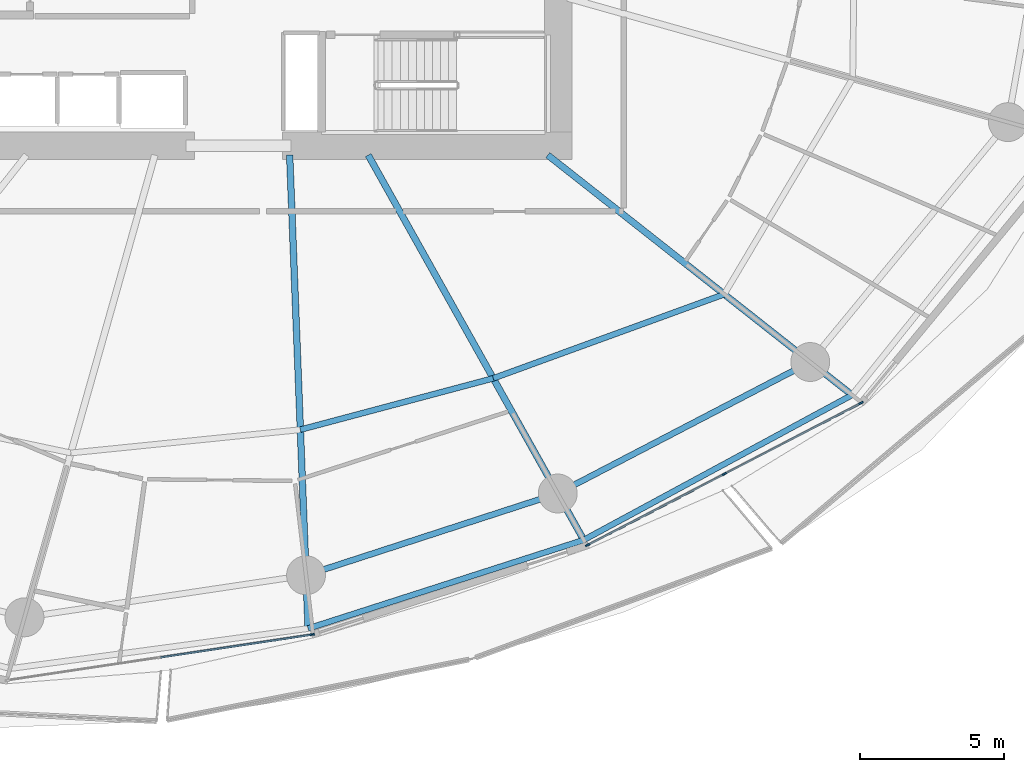
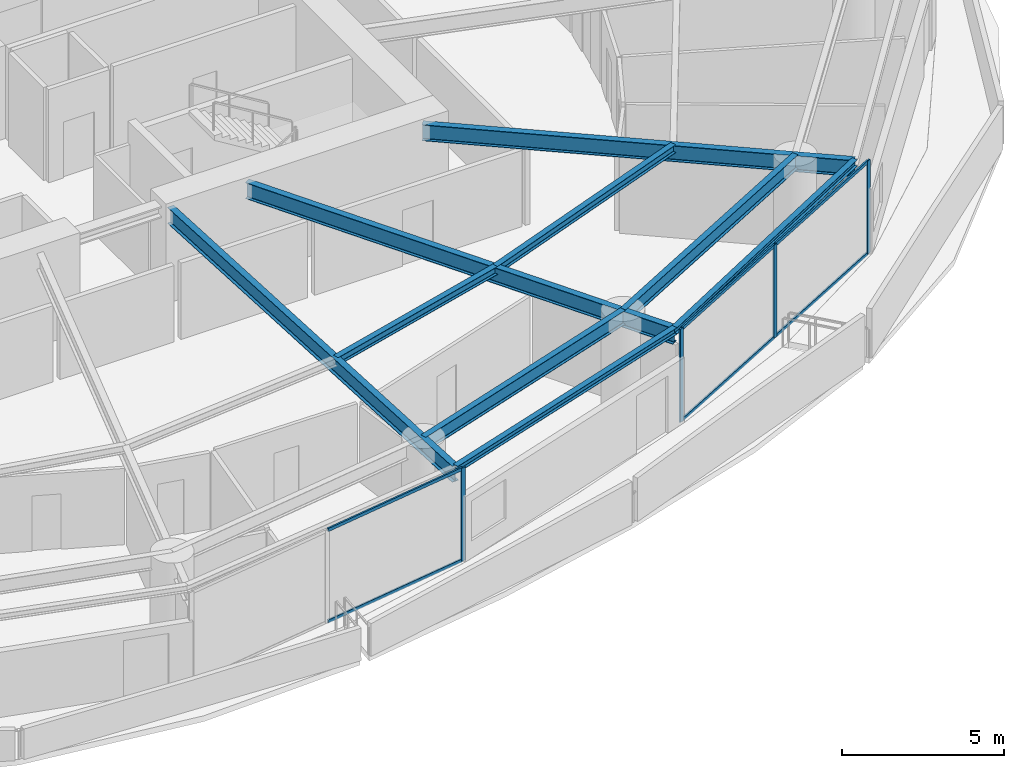
# One storey, part 9 of 31: 10 members, 9 beams, 2 elements without a shape of their own.
"""IFC4 building model written with IfcOpenShell, lengths in metres."""

from ifc_helpers import new_model, si_unit, direction, frame, origin, origin_2d, place, context, subcontext, project, spatial, rectangle, i_section, extrude, material, layer, layer_set, material_profile, profile_set, type_object, element, aggregate, save


model = new_model("IFC4")

# Units and contexts
model_context = context("Model", 3, precision=1e-05, world=origin(), true_north=direction((0.0, 1.0)))
body_context = subcontext(model_context, "Body", "Model", "MODEL_VIEW")
ifc_project = project(units=[si_unit("LENGTHUNIT", "METRE"), si_unit("AREAUNIT", "SQUARE_METRE"), si_unit("VOLUMEUNIT", "CUBIC_METRE"), si_unit("PLANEANGLEUNIT", "RADIAN"), si_unit("MASSUNIT", "GRAM", prefix="KILO")], contexts=[model_context])

# Site, building, storey
site_placement = place(None, origin())
site = spatial("IfcSite", under=ifc_project, at=site_placement, CompositionType="ELEMENT")
building_placement = place(site_placement, origin())
building = spatial("IfcBuilding", under=site, at=building_placement, Name="Kazma Halo Residences", CompositionType="ELEMENT")
storey_placement = place(building_placement, frame((0.0, 0.0, 37.64990234375)))
storey = spatial("IfcBuildingStorey", under=building, at=storey_placement, Name="L08", CompositionType="ELEMENT", Elevation=37.64990234375)

# Beams
ifc_material_1 = material(Name="Steel S355", Category="steel")
ifc_material_profile_1 = material_profile(ifc_material_1, i_section(OverallWidth=0.201904296875, OverallDepth=0.2470703125, WebThickness=0.00732421875, FlangeThickness=0.010986328125, FilletRadius=0.011962890625, at=origin_2d()), Name="W250x49.1")
ifc_profile_set_1 = profile_set([ifc_material_profile_1], Name="Steel S355")
beam_type_1 = type_object("IfcBeamType", Name="BM-BAL-CANT", PredefinedType="BEAM", material=ifc_profile_set_1)
beam_1_placement = place(storey_placement, frame((50.84033203125, 16.761962890625, 3.376708984375), z_axis=(0.952101049535, 0.305783569662, 0.0), x_axis=(-0.305783569662, 0.952101049535, 0.0)))
element("IfcBeam", 1, at=beam_1_placement, inside=storey, type_object=beam_type_1, Name="L08 wave-balcony tie beam 12", PredefinedType="BEAM", context=body_context, shape_type="SweptSolid", body=[
    extrude(i_section(OverallWidth=0.201904296875, OverallDepth=0.2470703125, WebThickness=0.00732421875, FlangeThickness=0.010986328125, FilletRadius=0.011962890625, at=origin_2d()), origin(), (0.0, 0.0, 1.0), 10.053466796875),
])
beam_2_placement = place(storey_placement, frame((60.412353515625, 19.836181640625, 3.376708984375), z_axis=(0.879759421466, 0.47541914175, 0.0), x_axis=(-0.47541914175, 0.879759421466, 0.0)))
element("IfcBeam", 2, at=beam_2_placement, inside=storey, type_object=beam_type_1, Name="L08 wave-balcony tie beam 13", PredefinedType="BEAM", context=body_context, shape_type="SweptSolid", body=[
    extrude(i_section(OverallWidth=0.201904296875, OverallDepth=0.2470703125, WebThickness=0.00732421875, FlangeThickness=0.010986328125, FilletRadius=0.011962890625, at=origin_2d()), origin(), (0.0, 0.0, 1.0), 10.58935546875),
])
ifc_material_profile_2 = material_profile(ifc_material_1, i_section(OverallWidth=0.22802734375, OverallDepth=0.60791015625, WebThickness=0.01123046875, FlangeThickness=0.017333984375, FilletRadius=0.01806640625, at=origin_2d()), Name="W610x113")
ifc_profile_set_2 = profile_set([ifc_material_profile_2], Name="Steel S355")
beam_type_2 = type_object("IfcBeamType", Name="BM-RAD-W610", PredefinedType="BEAM", material=ifc_profile_set_2)
beam_3_placement = place(storey_placement, frame((50.199951171875, 33.199951171875, 3.196044921875), z_axis=(0.038927845379, -0.999242024163, 0.0), x_axis=(0.999242024163, 0.038927845379, 0.0)))
element("IfcBeam", 3, at=beam_3_placement, inside=storey, type_object=beam_type_2, Name="L08 radial floor beam 12", PredefinedType="BEAM", context=body_context, shape_type="SweptSolid", body=[
    extrude(i_section(OverallWidth=0.22802734375, OverallDepth=0.60791015625, WebThickness=0.01123046875, FlangeThickness=0.017333984375, FilletRadius=0.01806640625, at=origin_2d()), origin(), (0.0, 0.0, 1.0), 16.450439453125),
])
beam_4_placement = place(storey_placement, frame((52.92822265625, 33.199951171875, 3.196044921875), z_axis=(0.488624239587, -0.872494328055, 0.0), x_axis=(0.872494328055, 0.488624239587, 0.0)))
element("IfcBeam", 4, at=beam_4_placement, inside=storey, type_object=beam_type_2, Name="L08 radial floor beam 13", PredefinedType="BEAM", context=body_context, shape_type="SweptSolid", body=[
    extrude(i_section(OverallWidth=0.22802734375, OverallDepth=0.60791015625, WebThickness=0.01123046875, FlangeThickness=0.017333984375, FilletRadius=0.01806640625, at=origin_2d()), origin(), (0.0, 0.0, 1.0), 15.316650390625),
])
beam_5_placement = place(storey_placement, frame((59.16259765625, 33.199951171875, 3.196044921875), z_axis=(0.785322437877, -0.619086963655, 0.0), x_axis=(0.619086963655, 0.785322437877, 0.0)))
element("IfcBeam", 5, at=beam_5_placement, inside=storey, type_object=beam_type_2, Name="L08 radial floor beam 14", PredefinedType="BEAM", context=body_context, shape_type="SweptSolid", body=[
    extrude(i_section(OverallWidth=0.22802734375, OverallDepth=0.60791015625, WebThickness=0.01123046875, FlangeThickness=0.017333984375, FilletRadius=0.01806640625, at=origin_2d()), origin(), (0.0, 0.0, 1.0), 13.454345703125),
])
ifc_material_profile_3 = material_profile(ifc_material_1, i_section(OverallWidth=0.202880859375, OverallDepth=0.302978515625, WebThickness=0.007568359375, FlangeThickness=0.01318359375, FilletRadius=0.013916015625, at=origin_2d()), Name="W310x60")
ifc_profile_set_3 = profile_set([ifc_material_profile_3], Name="Steel S355")
beam_type_3 = type_object("IfcBeamType", Name="BM-SEC-W310A", PredefinedType="JOIST", material=ifc_profile_set_3)
beam_6_placement = place(storey_placement, frame((50.5712890625, 23.666015625, 3.3486328125), z_axis=(0.966337757832, 0.257276772735, 0.0), x_axis=(-0.257276772735, 0.966337757832, 0.0)))
element("IfcBeam", 6, at=beam_6_placement, inside=storey, type_object=beam_type_3, Name="L08 circumferential floor joist 12", PredefinedType="JOIST", context=body_context, shape_type="SweptSolid", body=[
    extrude(i_section(OverallWidth=0.202880859375, OverallDepth=0.302978515625, WebThickness=0.007568359375, FlangeThickness=0.01318359375, FilletRadius=0.013916015625, at=origin_2d()), origin(), (0.0, 0.0, 1.0), 6.93115234375),
])
beam_7_placement = place(storey_placement, frame((57.26904296875, 25.44921875, 3.3486328125), z_axis=(0.939695690299, 0.34201170979, 0.0), x_axis=(-0.34201170979, 0.939695690299, 0.0)))
element("IfcBeam", 7, at=beam_7_placement, inside=storey, type_object=beam_type_3, Name="L08 circumferential floor joist 13", PredefinedType="JOIST", context=body_context, shape_type="SweptSolid", body=[
    extrude(i_section(OverallWidth=0.202880859375, OverallDepth=0.302978515625, WebThickness=0.007568359375, FlangeThickness=0.01318359375, FilletRadius=0.013916015625, at=origin_2d()), origin(), (0.0, 0.0, 1.0), 8.536865234375),
])
ifc_material_profile_4 = material_profile(ifc_material_1, i_section(OverallWidth=0.208984375, OverallDepth=0.532958984375, WebThickness=0.01025390625, FlangeThickness=0.015625, FilletRadius=0.01611328125, at=origin_2d()), Name="W530x92")
ifc_profile_set_4 = profile_set([ifc_material_profile_4], Name="Steel S355")
beam_type_4 = type_object("IfcBeamType", Name="BM-SPN-W530", PredefinedType="BEAM", material=ifc_profile_set_4)
beam_8_placement = place(storey_placement, frame((50.768310546875, 18.610595703125, 3.233642578125), z_axis=(0.951054956346, 0.309021795363, 0.0), x_axis=(-0.309021795363, 0.951054956346, 0.0)))
element("IfcBeam", 8, at=beam_8_placement, inside=storey, type_object=beam_type_4, Name="L08 perimeter ring beam 12", PredefinedType="BEAM", context=body_context, shape_type="SweptSolid", body=[
    extrude(i_section(OverallWidth=0.208984375, OverallDepth=0.532958984375, WebThickness=0.01025390625, FlangeThickness=0.015625, FilletRadius=0.01611328125, at=origin_2d()), origin(), (0.0, 0.0, 1.0), 9.189697265625),
])
beam_9_placement = place(storey_placement, frame((59.50830078125, 21.450439453125, 3.233642578125), z_axis=(0.886956241699, 0.461853467358, 0.0), x_axis=(-0.461853467358, 0.886956241699, 0.0)))
element("IfcBeam", 9, at=beam_9_placement, inside=storey, type_object=beam_type_4, Name="L08 perimeter ring beam 13", PredefinedType="BEAM", context=body_context, shape_type="SweptSolid", body=[
    extrude(i_section(OverallWidth=0.208984375, OverallDepth=0.532958984375, WebThickness=0.01025390625, FlangeThickness=0.015625, FilletRadius=0.01611328125, at=origin_2d()), origin(), (0.0, 0.0, 1.0), 9.885009765625),
])

# Curtain wall, member
ifc_material_2 = material(Name="Aluminium AW-6063 T6 and Triple-Silver Low-E Glass", Category="aluminium")
ifc_layer = layer(ifc_material_2, 0.159912109375)
ifc_layer_set = layer_set([ifc_layer], Name="Aluminium AW-6063 T6 and Triple-Silver Low-E Glass")
curtain_wall_type = type_object("IfcCurtainWallType", Name="CW-SYS-2", PredefinedType="NOTDEFINED", material=ifc_layer_set)
curtain_wall_1_placement = place(storey_placement, origin())
curtain_wall_1 = element("IfcCurtainWall", 10, at=curtain_wall_1_placement, inside=storey, type_object=curtain_wall_type, Name="L08 unitised curtain wall B11", PredefinedType="NOTDEFINED")
ifc_material_3 = material(Name="Aluminium AW-6063 T6", Category="aluminium")
ifc_material_profile_5 = material_profile(ifc_material_3, rectangle(XDim=0.06005859375, YDim=0.159912109375, at=origin_2d()), Name="CWM-60x160")
ifc_profile_set_5 = profile_set([ifc_material_profile_5], Name="Aluminium AW-6063 T6")
member_type_1 = type_object("IfcMemberType", Name="CW-SYS-2-MUL", PredefinedType="MULLION", material=ifc_profile_set_5)
member_1_placement = place(storey_placement, frame((50.981689453125, 16.552490234375, 0.0), z_axis=(0.0, 0.0, 1.0), x_axis=(-0.148657272805, 0.988888777994, 0.0)))
member_1 = element("IfcMember", 11, at=member_1_placement, type_object=member_type_1, Name="CWS-2 mullion 3", PredefinedType="MULLION", context=body_context, shape_type="SweptSolid", body=[
    extrude(rectangle(XDim=0.06005859375, YDim=0.159912109375, at=origin_2d()), origin(), (0.0, 0.0, 1.0), 3.5),
])

# Curtain wall, members
curtain_wall_2_placement = place(storey_placement, origin())
curtain_wall_2 = element("IfcCurtainWall", 12, at=curtain_wall_2_placement, inside=storey, type_object=curtain_wall_type, Name="L08 unitised curtain wall B13", PredefinedType="NOTDEFINED")
member_2_placement = place(storey_placement, frame((60.54541015625, 19.659912109375, 0.0), z_axis=(0.0, 0.0, 1.0), x_axis=(-0.460995912628, 0.887402258584, 0.0)))
member_2 = element("IfcMember", 13, at=member_2_placement, type_object=member_type_1, Name="CWS-2 mullion 1", PredefinedType="MULLION", context=body_context, shape_type="SweptSolid", body=[
    extrude(rectangle(XDim=0.06005859375, YDim=0.159912109375, at=origin_2d()), origin(), (0.0, 0.0, 1.0), 3.5),
])
member_3_placement = place(storey_placement, frame((65.2919921875, 22.125732421875, 0.0), z_axis=(0.0, 0.0, 1.0), x_axis=(-0.460995912628, 0.887402258584, 0.0)))
member_3 = element("IfcMember", 14, at=member_3_placement, type_object=member_type_1, Name="CWS-2 mullion 2", PredefinedType="MULLION", context=body_context, shape_type="SweptSolid", body=[
    extrude(rectangle(XDim=0.06005859375, YDim=0.159912109375, at=origin_2d()), origin(), (0.0, 0.0, 1.0), 3.5),
])
member_4_placement = place(storey_placement, frame((70.03857421875, 24.591552734375, 0.0), z_axis=(0.0, 0.0, 1.0), x_axis=(-0.460995912628, 0.887402258584, 0.0)))
member_4 = element("IfcMember", 15, at=member_4_placement, type_object=member_type_1, Name="CWS-2 mullion 3", PredefinedType="MULLION", context=body_context, shape_type="SweptSolid", body=[
    extrude(rectangle(XDim=0.06005859375, YDim=0.159912109375, at=origin_2d()), origin(), (0.0, 0.0, 1.0), 3.5),
])

# Member
ifc_material_profile_6 = material_profile(ifc_material_3, rectangle(XDim=0.06005859375, YDim=0.1201171875, at=origin_2d()), Name="CWT-60x120")
ifc_profile_set_6 = profile_set([ifc_material_profile_6], Name="Aluminium AW-6063 T6")
member_type_2 = type_object("IfcMemberType", Name="CW-SYS-2-TRN", PredefinedType="USERDEFINED", material=ifc_profile_set_6)
member_5_placement = place(storey_placement, frame((45.721923828125, 15.761962890625, 0.030029296875), z_axis=(0.98889195415, 0.148636143041, 0.0), x_axis=(-0.148636143041, 0.98889195415, 0.0)))
member_5 = element("IfcMember", 16, at=member_5_placement, type_object=member_type_2, Name="CWS-2 transom 2.1", ObjectType="TRANSOM", PredefinedType="USERDEFINED", context=body_context, shape_type="SweptSolid", body=[
    extrude(rectangle(XDim=0.06005859375, YDim=0.1201171875, at=origin_2d()), origin(), (0.0, 0.0, 1.0), 5.2890625),
])

member_6_placement = place(storey_placement, frame((45.721923828125, 15.761962890625, 3.47021484375), z_axis=(0.98889195415, 0.148636143041, 0.0), x_axis=(-0.148636143041, 0.98889195415, 0.0)))
member_6 = element("IfcMember", 17, at=member_6_placement, type_object=member_type_2, Name="CWS-2 transom 2.2", ObjectType="TRANSOM", PredefinedType="USERDEFINED", context=body_context, shape_type="SweptSolid", body=[
    extrude(rectangle(XDim=0.06005859375, YDim=0.1201171875, at=origin_2d()), origin(), (0.0, 0.0, 1.0), 5.2890625),
])

aggregate(curtain_wall_1, [member_1, member_5, member_6])

member_7_placement = place(storey_placement, frame((60.572021484375, 19.673828125, 0.030029296875), z_axis=(0.887414738583, 0.460971888238, 0.0), x_axis=(-0.460971888238, 0.887414738583, 0.0)))
member_7 = element("IfcMember", 18, at=member_7_placement, type_object=member_type_2, Name="CWS-2 transom 1.1", ObjectType="TRANSOM", PredefinedType="USERDEFINED", context=body_context, shape_type="SweptSolid", body=[
    extrude(rectangle(XDim=0.06005859375, YDim=0.1201171875, at=origin_2d()), origin(), (0.0, 0.0, 1.0), 5.288818359375),
])

member_8_placement = place(storey_placement, frame((60.572021484375, 19.673828125, 3.47021484375), z_axis=(0.887414738583, 0.460971888238, 0.0), x_axis=(-0.460971888238, 0.887414738583, 0.0)))
member_8 = element("IfcMember", 19, at=member_8_placement, type_object=member_type_2, Name="CWS-2 transom 1.2", ObjectType="TRANSOM", PredefinedType="USERDEFINED", context=body_context, shape_type="SweptSolid", body=[
    extrude(rectangle(XDim=0.06005859375, YDim=0.1201171875, at=origin_2d()), origin(), (0.0, 0.0, 1.0), 5.288818359375),
])

member_9_placement = place(storey_placement, frame((65.318603515625, 22.1396484375, 0.030029296875), z_axis=(0.887414738583, 0.460971888238, 0.0), x_axis=(-0.460971888238, 0.887414738583, 0.0)))
member_9 = element("IfcMember", 20, at=member_9_placement, type_object=member_type_2, Name="CWS-2 transom 2.1", ObjectType="TRANSOM", PredefinedType="USERDEFINED", context=body_context, shape_type="SweptSolid", body=[
    extrude(rectangle(XDim=0.06005859375, YDim=0.1201171875, at=origin_2d()), origin(), (0.0, 0.0, 1.0), 5.288818359375),
])

member_10_placement = place(storey_placement, frame((65.318603515625, 22.1396484375, 3.47021484375), z_axis=(0.887414738583, 0.460971888238, 0.0), x_axis=(-0.460971888238, 0.887414738583, 0.0)))
member_10 = element("IfcMember", 21, at=member_10_placement, type_object=member_type_2, Name="CWS-2 transom 2.2", ObjectType="TRANSOM", PredefinedType="USERDEFINED", context=body_context, shape_type="SweptSolid", body=[
    extrude(rectangle(XDim=0.06005859375, YDim=0.1201171875, at=origin_2d()), origin(), (0.0, 0.0, 1.0), 5.288818359375),
])

aggregate(curtain_wall_2, [member_2, member_3, member_4, member_7, member_8, member_9, member_10])

save(model, "model.ifc")
